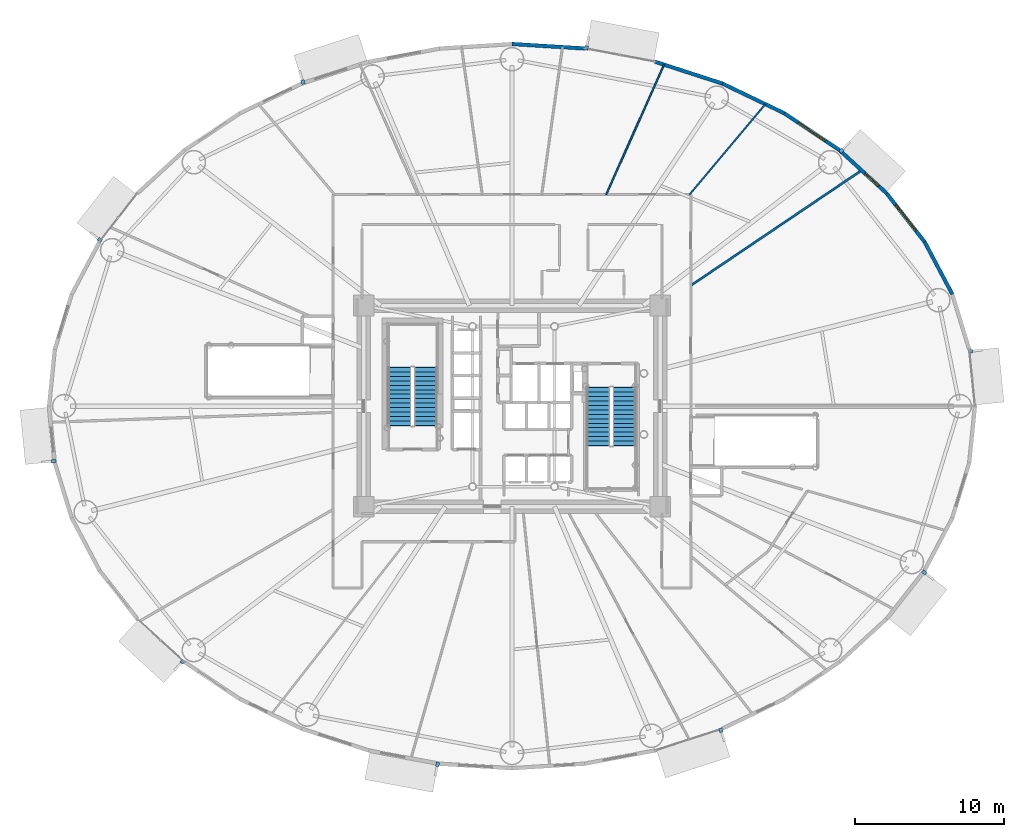
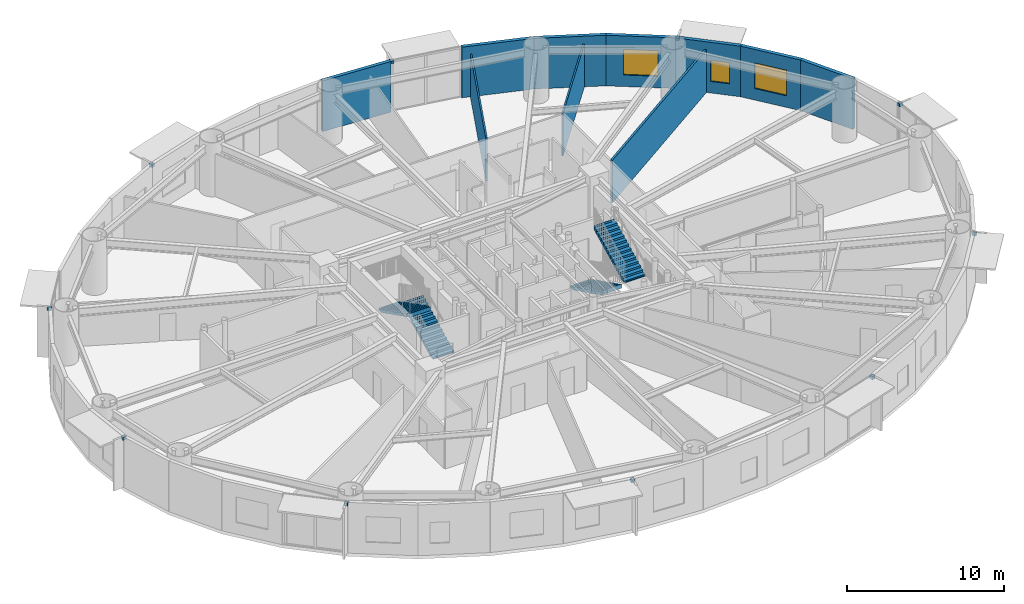
# One storey, part 20 of 28: 10 discrete accessories, 10 walls, 4 stair flights, 3 windows, 3 openings, 2 elements without a shape of their own.
"""IFC4 building model written with IfcOpenShell, lengths in metres."""

from ifc_helpers import new_model, si_unit, direction, frame, frame_2d, origin, origin_2d, place, context, subcontext, project, spatial, polyline, rectangle, outline, extrude, source, transform, mapped, material, layer, layer_set, type_object, element, fill, aggregate, save


model = new_model("IFC4")

# Units and contexts
model_context = context("Model", 3, precision=1e-05, world=origin(), true_north=direction((0.0, 1.0)))
body_context = subcontext(model_context, "Body", "Model", "MODEL_VIEW")
ifc_project = project(units=[si_unit("LENGTHUNIT", "METRE"), si_unit("AREAUNIT", "SQUARE_METRE"), si_unit("VOLUMEUNIT", "CUBIC_METRE"), si_unit("PLANEANGLEUNIT", "RADIAN"), si_unit("MASSUNIT", "GRAM", prefix="KILO")], contexts=[model_context])

# Site, building, storey
site_placement = place(None, origin())
site = spatial("IfcSite", under=ifc_project, at=site_placement, CompositionType="ELEMENT")
building_placement = place(site_placement, origin())
building = spatial("IfcBuilding", under=site, at=building_placement, Name="Linh Dai School and Residence Tower", CompositionType="ELEMENT")
storey_placement = place(building_placement, frame((0.0, 0.0, 57.60009765625)))
storey = spatial("IfcBuildingStorey", under=building, at=storey_placement, Name="L13", CompositionType="ELEMENT", Elevation=57.60009765625)

# Wall
ifc_material_1 = material(Name="Precast Concrete B45 (C35/45)", Category="concrete")
ifc_layer_1 = layer(ifc_material_1, 0.25)
ifc_layer_set_1 = layer_set([ifc_layer_1], Name="Precast Concrete B45 (C35/45)")
wall_type_1 = type_object("IfcWallType", Name="EW-TC-250", PredefinedType="SOLIDWALL", material=ifc_layer_set_1)
wall_1_placement = place(storey_placement, frame((63.694580078125, 38.022705078125, 0.0), z_axis=(0.0, 0.0, 1.0), x_axis=(0.467662443071, -0.883907144072, 0.0)))
element("IfcWall", 1, at=wall_1_placement, inside=storey, type_object=wall_type_1, Name="L13 Terracotta Exterior Wall 03", PredefinedType="SOLIDWALL", context=body_context, shape_type="SweptSolid", body=[
    extrude(rectangle(XDim=3.983642578125, YDim=0.25, at=frame_2d((1.99169921875, 0.0))), origin(), (0.0, 0.0, 1.0), 3.949951171875),
])

# Wall, opening, window
wall_2_placement = place(storey_placement, frame((61.149658203125, 41.274658203125, 0.0), z_axis=(0.0, 0.0, 1.0), x_axis=(0.616295508253, -0.787514981767, 0.0)))
wall_2 = element("IfcWall", 2, at=wall_2_placement, inside=storey, type_object=wall_type_1, Name="L13 Terracotta Exterior Wall 04", PredefinedType="SOLIDWALL", context=body_context, shape_type="SweptSolid", body=[
    extrude(rectangle(XDim=4.12939453125, YDim=0.25, at=frame_2d((2.064697265625, 0.0))), origin(), (0.0, 0.0, 1.0), 3.949951171875),
])
opening_1_placement = place(wall_2_placement, frame((0.964599609375, 0.0, 0.89990234375)))
opening_1 = element("IfcOpeningElement", 3, at=opening_1_placement, cuts=wall_2, Name="Opening W4", PredefinedType="OPENING", context=body_context, shape_type="SweptSolid", body=[
    extrude(rectangle(XDim=2.199951171875, YDim=2.0, at=origin_2d()), frame((1.10009765625, 0.135009765625, 1.0), z_axis=(0.0, -1.0, 0.0), x_axis=(1.0, 0.0, 0.0)), (0.0, 0.0, 1.0), 0.27001953125),
])
ifc_material_2 = material(Name="Acoustic Laminated Low-E Glazing", Category="glass")
window_type_1 = type_object("IfcWindowType", Name="WN-SCH-2200x2000", PartitioningType="TRIPLE_PANEL_VERTICAL", PredefinedType="WINDOW", material=ifc_material_2)
shared_shape_1 = source(origin(), body_context, "Body", "SweptSolid", [
    extrude(rectangle(XDim=2.199951171875, YDim=2.0, at=origin_2d()), frame((1.10009765625, 0.030029296875, 1.0), z_axis=(0.0, -1.0, 0.0), x_axis=(1.0, 0.0, 0.0)), (0.0, 0.0, 1.0), 0.06005859375),
])
window_1_placement = place(opening_1_placement, origin())
window_1 = element("IfcWindow", 4, at=window_1_placement, inside=storey, type_object=window_type_1, Name="L13 Exterior Window 04.1", OverallHeight=2.0, OverallWidth=2.199951171875, PartitioningType="TRIPLE_PANEL_VERTICAL", PredefinedType="WINDOW", context=body_context, shape_type="MappedRepresentation", body=[
    mapped(shared_shape_1, transform((0.0, 0.0, 0.0), x_axis=(1.0, 0.0, 0.0), y_axis=(0.0, 1.0, 0.0), z_axis=(0.0, 0.0, 1.0), scale=1.0)),
])
fill(opening_1, window_1)

wall_3_placement = place(storey_placement, frame((57.984619140625, 44.17626953125, 0.0), z_axis=(0.0, 0.0, 1.0), x_axis=(0.737116376281, -0.67576582321, 0.0)))
wall_3 = element("IfcWall", 5, at=wall_3_placement, inside=storey, type_object=wall_type_1, Name="L13 Terracotta Exterior Wall 05", PredefinedType="SOLIDWALL", context=body_context, shape_type="SweptSolid", body=[
    extrude(rectangle(XDim=4.293701171875, YDim=0.25, at=frame_2d((2.14697265625, 0.0))), origin(), (0.0, 0.0, 1.0), 3.949951171875),
])
opening_2_placement = place(wall_3_placement, frame((2.3125, 0.0, 0.89990234375)))
opening_2 = element("IfcOpeningElement", 6, at=opening_2_placement, cuts=wall_3, Name="Opening W3", PredefinedType="OPENING", context=body_context, shape_type="SweptSolid", body=[
    extrude(rectangle(XDim=1.25, YDim=1.64990234375, at=origin_2d()), frame((0.625, 0.135009765625, 0.824951171875), z_axis=(0.0, -1.0, 0.0), x_axis=(1.0, 0.0, 0.0)), (0.0, 0.0, 1.0), 0.27001953125),
])
ifc_material_3 = material(Name="Double Low-E Insulated Glazing", Category="glass")
window_type_2 = type_object("IfcWindowType", Name="WN-RES-1250x1650", PartitioningType="SINGLE_PANEL", PredefinedType="WINDOW", material=ifc_material_3)
shared_shape_2 = source(origin(), body_context, "Body", "SweptSolid", [
    extrude(rectangle(XDim=1.25, YDim=1.64990234375, at=origin_2d()), frame((0.625, 0.030029296875, 0.824951171875), z_axis=(0.0, -1.0, 0.0), x_axis=(1.0, 0.0, 0.0)), (0.0, 0.0, 1.0), 0.06005859375),
])
window_2_placement = place(opening_2_placement, origin())
window_2 = element("IfcWindow", 7, at=window_2_placement, inside=storey, type_object=window_type_2, Name="L13 Exterior Window 05.1", OverallHeight=1.64990234375, OverallWidth=1.25, PartitioningType="SINGLE_PANEL", PredefinedType="WINDOW", context=body_context, shape_type="MappedRepresentation", body=[
    mapped(shared_shape_2, transform((0.0, 0.0, 0.0), x_axis=(1.0, 0.0, 0.0), y_axis=(0.0, 1.0, 0.0), z_axis=(0.0, 0.0, 1.0), scale=1.0)),
])
fill(opening_2, window_2)

wall_4_placement = place(storey_placement, frame((54.277099609375, 46.65576171875, 0.0), z_axis=(0.0, 0.0, 1.0), x_axis=(0.831240982525, -0.555912249343, 0.0)))
wall_4 = element("IfcWall", 8, at=wall_4_placement, inside=storey, type_object=wall_type_1, Name="L13 Terracotta Exterior Wall 06", PredefinedType="SOLIDWALL", context=body_context, shape_type="SweptSolid", body=[
    extrude(rectangle(XDim=4.460205078125, YDim=0.25, at=frame_2d((2.22998046875, 0.0))), origin(), (0.0, 0.0, 1.0), 3.949951171875),
])
opening_3_placement = place(wall_4_placement, frame((1.1298828125, 0.0, 0.89990234375)))
opening_3 = element("IfcOpeningElement", 9, at=opening_3_placement, cuts=wall_4, Name="Opening W4", PredefinedType="OPENING", context=body_context, shape_type="SweptSolid", body=[
    extrude(rectangle(XDim=2.199951171875, YDim=2.0, at=origin_2d()), frame((1.10009765625, 0.135009765625, 1.0), z_axis=(0.0, -1.0, 0.0), x_axis=(1.0, 0.0, 0.0)), (0.0, 0.0, 1.0), 0.27001953125),
])
window_3_placement = place(opening_3_placement, origin())
window_3 = element("IfcWindow", 10, at=window_3_placement, inside=storey, type_object=window_type_1, Name="L13 Exterior Window 06.1", OverallHeight=2.0, OverallWidth=2.199951171875, PartitioningType="TRIPLE_PANEL_VERTICAL", PredefinedType="WINDOW", context=body_context, shape_type="MappedRepresentation", body=[
    mapped(shared_shape_1, transform((0.0, 0.0, 0.0), x_axis=(1.0, 0.0, 0.0), y_axis=(0.0, 1.0, 0.0), z_axis=(0.0, 0.0, 1.0), scale=1.0)),
])
fill(opening_3, window_3)

# Walls
wall_5_placement = place(storey_placement, frame((50.1181640625, 48.651123046875, 0.0), z_axis=(0.0, 0.0, 1.0), x_axis=(0.901601503137, -0.432567601123, 0.0)))
element("IfcWall", 11, at=wall_5_placement, inside=storey, type_object=wall_type_1, Name="L13 Terracotta Exterior Wall 07", PredefinedType="SOLIDWALL", context=body_context, shape_type="SweptSolid", body=[
    extrude(rectangle(XDim=4.61279296875, YDim=0.25, at=frame_2d((2.306396484375, 0.0))), origin(), (0.0, 0.0, 1.0), 3.949951171875),
])
wall_6_placement = place(storey_placement, frame((45.610595703125, 50.11328125, 0.0), z_axis=(0.0, 0.0, 1.0), x_axis=(0.951207699013, -0.308551313946, 0.0)))
element("IfcWall", 12, at=wall_6_placement, inside=storey, type_object=wall_type_1, Name="L13 Terracotta Exterior Wall 08", PredefinedType="SOLIDWALL", context=body_context, shape_type="SweptSolid", body=[
    extrude(rectangle(XDim=4.73876953125, YDim=0.25, at=frame_2d((2.369384765625, 0.0))), origin(), (0.0, 0.0, 1.0), 3.949951171875),
])
wall_7_placement = place(storey_placement, frame((36.0, 51.304931640625, 0.0), z_axis=(0.0, 0.0, 1.0), x_axis=(0.998106954071, -0.061502099433, 0.0)))
element("IfcWall", 13, at=wall_7_placement, inside=storey, type_object=wall_type_1, Name="L13 Terracotta Exterior Wall 10", PredefinedType="SOLIDWALL", context=body_context, shape_type="SweptSolid", body=[
    extrude(rectangle(XDim=4.874755859375, YDim=0.25, at=frame_2d((2.4375, 0.0))), origin(), (0.0, 0.0, 1.0), 3.949951171875),
])
ifc_material_4 = material(Name="Acoustic Operable Timber Panel Partition", Category="wood")
ifc_layer_2 = layer(ifc_material_4, 0.110107421875)
ifc_layer_set_2 = layer_set([ifc_layer_2], Name="Acoustic Operable Timber Panel Partition")
wall_type_2 = type_object("IfcWallType", Name="IW-MOV-110", PredefinedType="MOVABLE", material=ifc_layer_set_2)
wall_8_placement = place(storey_placement, frame((42.322265625, 41.199951171875, 0.0), z_axis=(0.0, 0.0, 1.0), x_axis=(0.406724210801, 0.913550992747, 0.0)))
element("IfcWall", 14, at=wall_8_placement, inside=storey, type_object=wall_type_2, Name="L13 Interior Partition Wall 061", PredefinedType="MOVABLE", context=body_context, shape_type="SweptSolid", body=[
    extrude(rectangle(XDim=9.55078125, YDim=0.110107421875, at=frame_2d((4.775390625, 0.0))), origin(), (0.0, 0.0, 1.0), 3.3349609375),
])
wall_9_placement = place(storey_placement, frame((47.915283203125, 41.199951171875, 0.0), z_axis=(0.0, 0.0, 1.0), x_axis=(0.642793123836, 0.766039816164, 0.0)))
element("IfcWall", 15, at=wall_9_placement, inside=storey, type_object=wall_type_2, Name="L13 Interior Partition Wall 065", PredefinedType="MOVABLE", context=body_context, shape_type="SweptSolid", body=[
    extrude(rectangle(XDim=7.923583984375, YDim=0.110107421875, at=frame_2d((3.9619140625, 0.0))), origin(), (0.0, 0.0, 1.0), 3.3349609375),
])
ifc_material_5 = material(Name="Autoclaved Aerated Concrete Blockwork", Category="masonry")
ifc_layer_3 = layer(ifc_material_5, 0.14990234375)
ifc_layer_set_3 = layer_set([ifc_layer_3], Name="Autoclaved Aerated Concrete Blockwork")
wall_type_3 = type_object("IfcWallType", Name="IW-SCH-150-EI60", PredefinedType="PARTITIONING", material=ifc_layer_set_3)
wall_10_placement = place(storey_placement, frame((48.0, 35.093994140625, 0.0), z_axis=(0.0, 0.0, 1.0), x_axis=(0.829036724814, 0.559194160296, 0.0)))
element("IfcWall", 16, at=wall_10_placement, inside=storey, type_object=wall_type_3, Name="L13 Interior Partition Wall 073", PredefinedType="PARTITIONING", context=body_context, shape_type="SweptSolid", body=[
    extrude(rectangle(XDim=13.828125, YDim=0.14990234375, at=frame_2d((6.9140625, 0.0))), origin(), (0.0, 0.0, 1.0), 3.3349609375),
])

# Stair, stair flights
ifc_material_6 = material(Name="Concrete B45 (C35/45)", Category="concrete")
stair_type = type_object("IfcStairType", Name="ST-DOG-1550-R1500", PredefinedType="HALF_TURN_STAIR", material=ifc_material_6)
stair_1_placement = place(storey_placement, origin())
stair_1 = element("IfcStair", 17, at=stair_1_placement, inside=storey, type_object=stair_type, Name="L13 Core Smokeproof Exit Stair ST1", PredefinedType="HALF_TURN_STAIR")
stair_flight_type = type_object("IfcStairFlightType", Name="STF-STR-1550-R1500", PredefinedType="STRAIGHT", material=ifc_material_6)
shared_shape_3 = source(origin(), body_context, "Body", "SweptSolid", [
    extrude(outline(polyline([(-0.02490234375, 0.0), (-0.02490234375, 0.06005859375), (0.0, 0.06005859375), (0.0, 0.14990234375), (0.300048828125, 0.14990234375), (0.300048828125, 0.300048828125), (0.60009765625, 0.300048828125), (0.60009765625, 0.449951171875), (0.89990234375, 0.449951171875), (0.89990234375, 0.60009765625), (1.199951171875, 0.60009765625), (1.199951171875, 0.75), (1.5, 0.75), (1.5, 0.89990234375), (1.800048828125, 0.89990234375), (1.800048828125, 1.050048828125), (2.10009765625, 1.050048828125), (2.10009765625, 1.199951171875), (2.39990234375, 1.199951171875), (2.39990234375, 1.35009765625), (2.699951171875, 1.35009765625), (2.699951171875, 1.5), (3.0, 1.5), (3.0, 1.64990234375), (3.300048828125, 1.64990234375), (3.300048828125, 1.800048828125), (3.60009765625, 1.800048828125), (3.60009765625, 1.949951171875), (3.89990234375, 1.949951171875), (3.89990234375, 2.10009765625), (3.925048828125, 2.10009765625), (3.925048828125, 1.782470703125), (3.89990234375, 1.782470703125), (0.335205078125, 0.0), (-0.02490234375, 0.0)])), frame((0.0, 0.77490234375, 0.0), z_axis=(0.0, -1.0, 0.0), x_axis=(1.0, 0.0, 0.0)), (0.0, 0.0, 1.0), 1.550048828125),
])
stair_flight_1_placement = place(storey_placement, frame((30.205078125, 25.699951171875, 0.0), z_axis=(0.0, 0.0, 1.0), x_axis=(0.0, 1.0, 0.0)))
stair_flight_1 = element("IfcStairFlight", 18, at=stair_flight_1_placement, type_object=stair_flight_type, Name="ST1 flight 1", NumberOfRisers=14, NumberOfTreads=13, PredefinedType="STRAIGHT", RiserHeight=0.15, TreadLength=0.3, context=body_context, shape_type="MappedRepresentation", body=[
    mapped(shared_shape_3, transform((0.0, 0.0, 0.0), x_axis=(1.0, 0.0, 0.0), y_axis=(0.0, 1.0, 0.0), z_axis=(0.0, 0.0, 1.0), scale=1.0)),
])
stair_flight_2_placement = place(storey_placement, frame((28.455078125, 29.60009765625, 2.099853515625), z_axis=(0.0, 0.0, 1.0), x_axis=(0.0, -1.0, 0.0)))
stair_flight_2 = element("IfcStairFlight", 19, at=stair_flight_2_placement, type_object=stair_flight_type, Name="ST1 flight 2", NumberOfRisers=14, NumberOfTreads=13, PredefinedType="STRAIGHT", RiserHeight=0.15, TreadLength=0.3, context=body_context, shape_type="MappedRepresentation", body=[
    mapped(shared_shape_3, transform((0.0, 0.0, 0.0), x_axis=(1.0, 0.0, 0.0), y_axis=(0.0, 1.0, 0.0), z_axis=(0.0, 0.0, 1.0), scale=1.0)),
])
aggregate(stair_1, [stair_flight_1, stair_flight_2])

stair_2_placement = place(storey_placement, origin())
stair_2 = element("IfcStair", 20, at=stair_2_placement, inside=storey, type_object=stair_type, Name="L13 Core Smokeproof Exit Stair ST2", PredefinedType="HALF_TURN_STAIR")
stair_flight_3_placement = place(storey_placement, frame((41.794921875, 28.25, 0.0), z_axis=(0.0, 0.0, 1.0), x_axis=(0.0, -1.0, 0.0)))
stair_flight_3 = element("IfcStairFlight", 21, at=stair_flight_3_placement, type_object=stair_flight_type, Name="ST2 flight 1", NumberOfRisers=14, NumberOfTreads=13, PredefinedType="STRAIGHT", RiserHeight=0.15, TreadLength=0.3, context=body_context, shape_type="MappedRepresentation", body=[
    mapped(shared_shape_3, transform((0.0, 0.0, 0.0), x_axis=(1.0, 0.0, 0.0), y_axis=(0.0, 1.0, 0.0), z_axis=(0.0, 0.0, 1.0), scale=1.0)),
])
stair_flight_4_placement = place(storey_placement, frame((43.544921875, 24.35009765625, 2.099853515625), z_axis=(0.0, 0.0, 1.0), x_axis=(0.0, 1.0, 0.0)))
stair_flight_4 = element("IfcStairFlight", 22, at=stair_flight_4_placement, type_object=stair_flight_type, Name="ST2 flight 2", NumberOfRisers=14, NumberOfTreads=13, PredefinedType="STRAIGHT", RiserHeight=0.15, TreadLength=0.3, context=body_context, shape_type="MappedRepresentation", body=[
    mapped(shared_shape_3, transform((0.0, 0.0, 0.0), x_axis=(1.0, 0.0, 0.0), y_axis=(0.0, 1.0, 0.0), z_axis=(0.0, 0.0, 1.0), scale=1.0)),
])
aggregate(stair_2, [stair_flight_3, stair_flight_4])

# Discrete accessories
ifc_material_7 = material(Name="Structural Steel S355JR", Category="steel")
discrete_accessory_type = type_object("IfcDiscreteAccessoryType", Name="ACC-BRK-S355", PredefinedType="BRACKET", material=ifc_material_7)
shared_shape_4 = source(origin(), body_context, "Body", "SweptSolid", [
    extrude(rectangle(XDim=0.280029296875, YDim=0.239990234375, at=origin_2d()), origin(), (0.0, 0.0, 1.0), 0.219970703125),
])
for number, where, z_axis, x_axis, name in (
    (23, (66.76513671875, 30.68359375, 3.69970703125), (0.0, 0.0, 1.0), (0.994986493533, 0.100009387998, 0.0), "L13 Facade Frame Anchor Bracket 01"),
    (24, (58.11376953125, 44.139404296875, 3.69970703125), (0.0, 0.0, 1.0), (0.675769237268, 0.737113246362, 0.0), "L13 Facade Frame Anchor Bracket 05"),
    (25, (40.994384765625, 51.0419921875, 3.69970703125), (0.0, 0.0, 1.0), (0.184747948944, 0.982785935675, 0.0), "L13 Facade Frame Anchor Bracket 09"),
    (26, (21.9775390625, 48.745361328125, 3.69970703125), (0.0, 0.0, 1.0), (-0.308510993844, 0.951220777043, 0.0), "L13 Facade Frame Anchor Bracket 13"),
    (27, (8.33203125, 38.154296875, 3.69970703125), (0.0, 0.0, 1.0), (-0.787496262172, 0.616319427785, 0.0), "L13 Facade Frame Anchor Bracket 17"),
    (28, (5.23486328125, 23.31640625, 3.69970703125), (0.0, 0.0, 1.0), (-0.994986493533, -0.100009387998, 0.0), "L13 Facade Frame Anchor Bracket 21"),
    (29, (13.88623046875, 9.860595703125, 3.69970703125), (0.0, 0.0, 1.0), (-0.675769237268, -0.737113246362, 0.0), "L13 Facade Frame Anchor Bracket 25"),
    (30, (31.005615234375, 2.9580078125, 3.69970703125), (0.0, 0.0, 1.0), (-0.184747948944, -0.982785935675, 0.0), "L13 Facade Frame Anchor Bracket 29"),
    (31, (50.0224609375, 5.254638671875, 3.69970703125), (0.0, 0.0, 1.0), (0.308510993844, -0.951220777043, 0.0), "L13 Facade Frame Anchor Bracket 33"),
    (32, (63.66796875, 15.845703125, 3.69970703125), (0.0, 0.0, 1.0), (0.787496262172, -0.616319427785, 0.0), "L13 Facade Frame Anchor Bracket 37"),
):
    element("IfcDiscreteAccessory", number, at=place(storey_placement, frame(where, z_axis=z_axis, x_axis=x_axis)), inside=storey, type_object=discrete_accessory_type, Name=name, PredefinedType="BRACKET", context=body_context, shape_type="MappedRepresentation", body=[
        mapped(shared_shape_4, transform((0.0, 0.0, 0.0), x_axis=(1.0, 0.0, 0.0), y_axis=(0.0, 1.0, 0.0), z_axis=(0.0, 0.0, 1.0), scale=1.0)),
    ])

save(model, "model.ifc")
